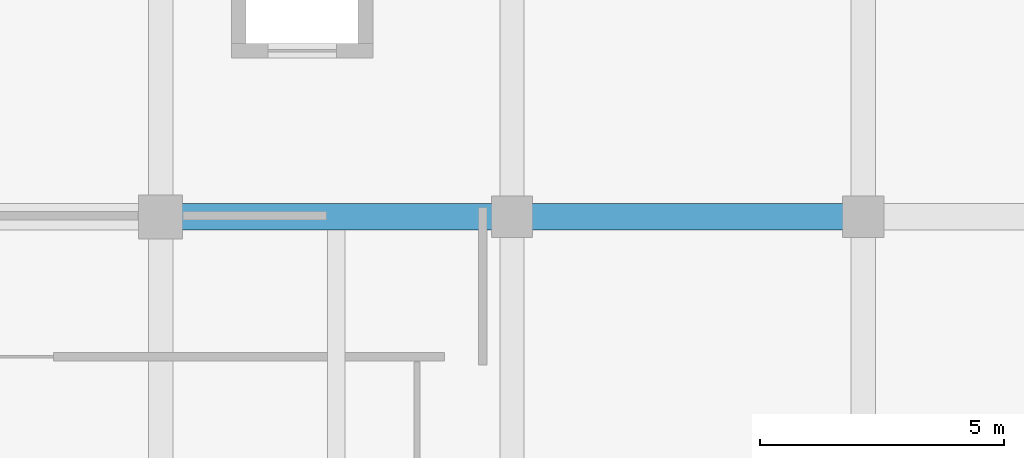
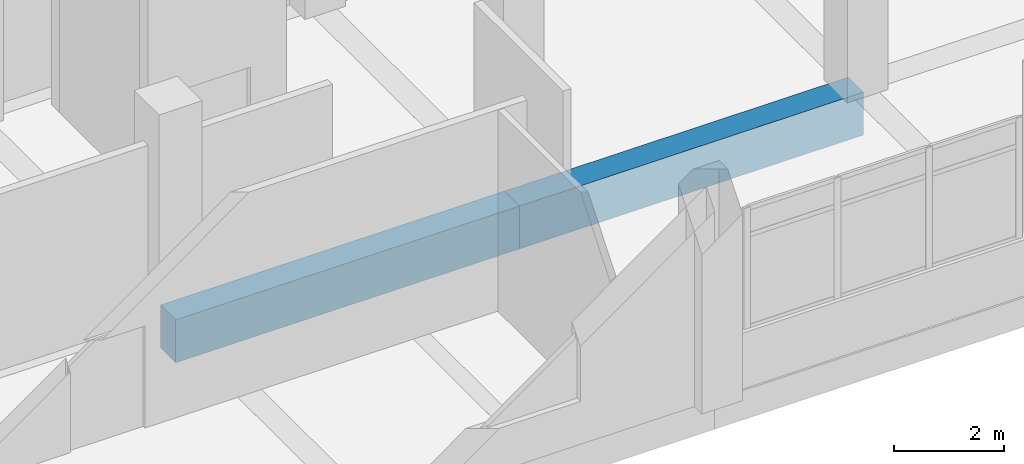
# One storey, part 44 of 181: 2 beams.
"""IFC4 building model written with IfcOpenShell, lengths in metres."""

from ifc_helpers import new_model, si_unit, direction, frame, origin, origin_2d, place, context, subcontext, project, spatial, rectangle, extrude, material, material_profile, profile_set, type_object, element, save


model = new_model("IFC4")

# Units and contexts
model_context = context("Model", 3, precision=1e-05, world=origin(), true_north=direction((0.0, 1.0)))
body_context = subcontext(model_context, "Body", "Model", "MODEL_VIEW")
ifc_project = project(units=[si_unit("LENGTHUNIT", "METRE"), si_unit("AREAUNIT", "SQUARE_METRE"), si_unit("VOLUMEUNIT", "CUBIC_METRE"), si_unit("PLANEANGLEUNIT", "RADIAN"), si_unit("MASSUNIT", "GRAM", prefix="KILO")], contexts=[model_context])

# Site, building, storey
site_placement = place(None, origin())
site = spatial("IfcSite", under=ifc_project, at=site_placement, CompositionType="ELEMENT")
building_placement = place(site_placement, origin())
building = spatial("IfcBuilding", under=site, at=building_placement, Name="Seraya Terrace Polytechnic", CompositionType="ELEMENT")
storey_placement = place(building_placement, frame((0.0, 0.0, 4.800048828125)))
storey = spatial("IfcBuildingStorey", under=building, at=storey_placement, Name="L01", CompositionType="ELEMENT", Elevation=4.800048828125)

# Beams
ifc_material = material(Name="Concrete C40/50", Category="concrete")
ifc_material_profile = material_profile(ifc_material, rectangle(XDim=0.550048828125, YDim=0.949951171875, at=origin_2d()), Name="RC 550x950")
ifc_profile_set = profile_set([ifc_material_profile], Name="Concrete C40/50")
beam_type = type_object("IfcBeamType", Name="BM-03", PredefinedType="BEAM", material=ifc_profile_set)
for number, where, z_axis, x_axis, name in (
    (1, (108.0, 7.199951171875, -0.47509765625), (1.0, 0.0, 0.0), (0.0, 1.0, 0.0), "Beam BM-03 L01 X (108.0..115.2, 7.2)"),
    (2, (115.199951171875, 7.199951171875, -0.47509765625), (1.0, 0.0, 0.0), (0.0, 1.0, 0.0), "Beam BM-03 L01 X (115.2..122.4, 7.2)"),
):
    element("IfcBeam", number, at=place(storey_placement, frame(where, z_axis=z_axis, x_axis=x_axis)), inside=storey, type_object=beam_type, Name=name, PredefinedType="BEAM", context=body_context, shape_type="SweptSolid", body=[
        extrude(rectangle(XDim=0.550048828125, YDim=0.949951171875, at=origin_2d()), origin(), (0.0, 0.0, 1.0), 7.199951171875),
    ])

save(model, "model.ifc")
